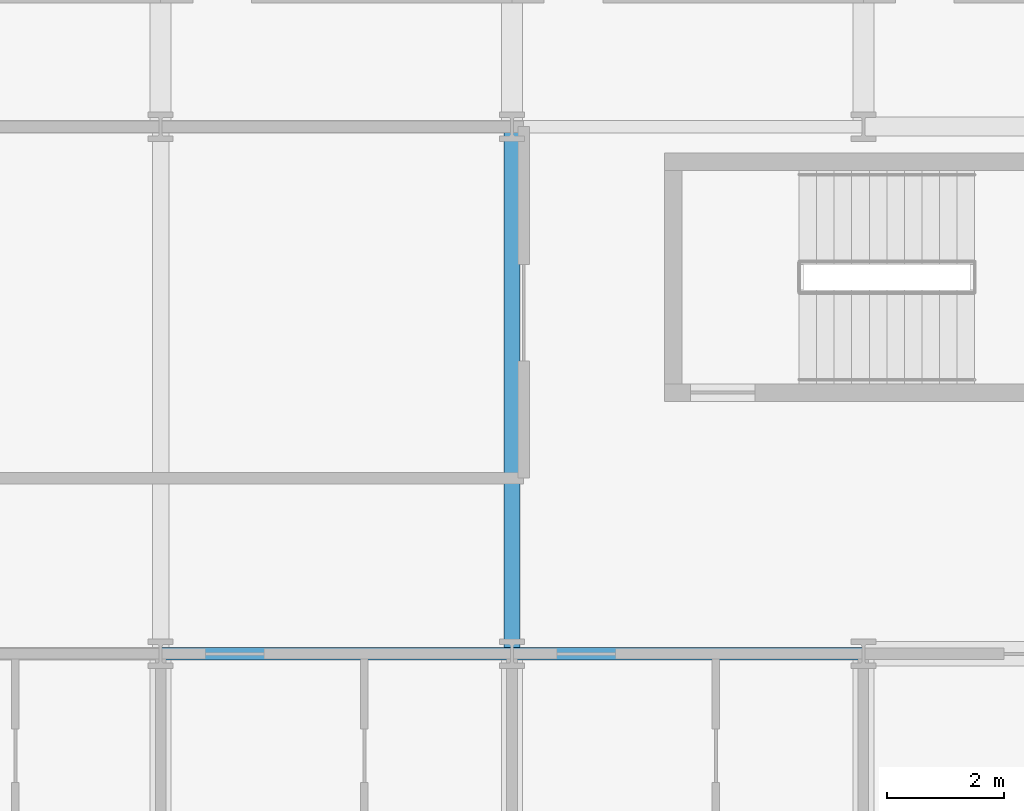
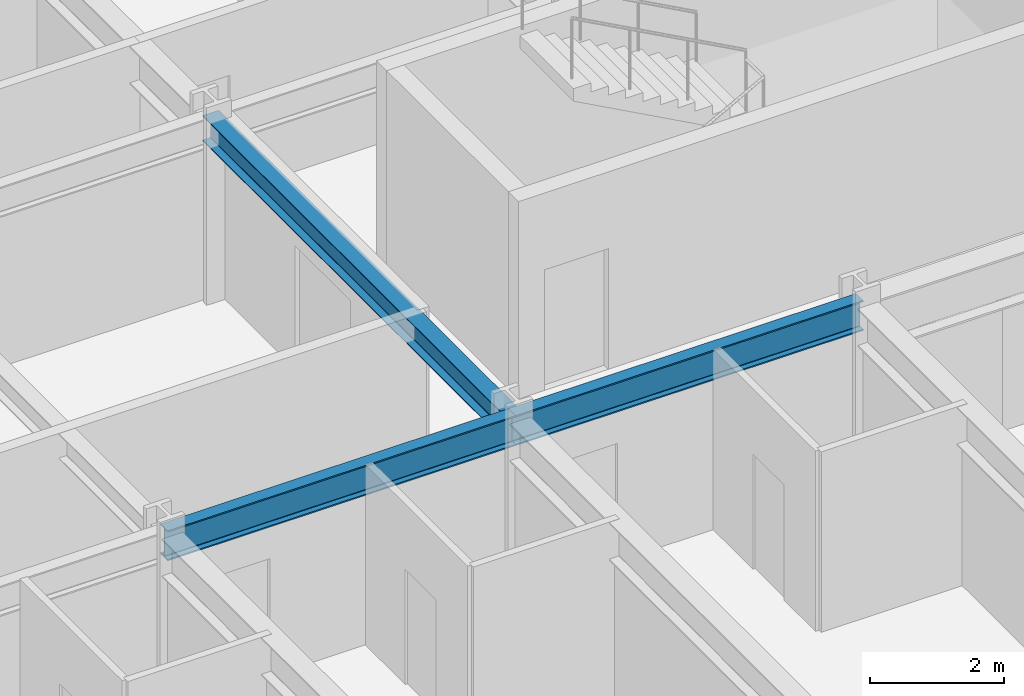
# One storey, part 7 of 24: 3 beams.
"""IFC4 building model written with IfcOpenShell, lengths in metres."""

from ifc_helpers import new_model, si_unit, direction, frame, origin, origin_2d, place, context, subcontext, project, spatial, i_section, extrude, material, material_profile, profile_set, type_object, element, save


model = new_model("IFC4")

# Units and contexts
model_context = context("Model", 3, precision=1e-05, world=origin(), true_north=direction((0.0, 1.0)))
body_context = subcontext(model_context, "Body", "Model", "MODEL_VIEW")
ifc_project = project(units=[si_unit("LENGTHUNIT", "METRE"), si_unit("AREAUNIT", "SQUARE_METRE"), si_unit("VOLUMEUNIT", "CUBIC_METRE"), si_unit("PLANEANGLEUNIT", "RADIAN"), si_unit("MASSUNIT", "GRAM", prefix="KILO")], contexts=[model_context])

# Site, building, storey
site_placement = place(None, origin())
site = spatial("IfcSite", under=ifc_project, at=site_placement, CompositionType="ELEMENT")
building_placement = place(site_placement, origin())
building = spatial("IfcBuilding", under=site, at=building_placement, Name="Kaldorvane Square Convention Centre", CompositionType="ELEMENT")
storey_placement = place(building_placement, frame((0.0, 0.0, 27.600006103515625)))
storey = spatial("IfcBuildingStorey", under=building, at=storey_placement, Name="L05", CompositionType="ELEMENT", Elevation=27.600006103515625)

# Beams
ifc_material = material(Name="Steel ASTM A992 Gr. 50", Category="steel")
ifc_material_profile_1 = material_profile(ifc_material, i_section(OverallWidth=0.213897705078125, OverallDepth=0.549102783203125, WebThickness=0.0146942138671875, FlangeThickness=0.0236053466796875, FilletRadius=0.0126953125, at=origin_2d()), Name="W21X93")
ifc_profile_set_1 = profile_set([ifc_material_profile_1], Name="Steel ASTM A992 Gr. 50")
beam_type_1 = type_object("IfcBeamType", Name="BM-GR-W21X93", PredefinedType="BEAM", material=ifc_profile_set_1)
for number, where, z_axis, x_axis, name in (
    (1, (30.0, 96.0, 3.0114898681640625), (1.0, 0.0, 0.0), (0.0, 1.0, 0.0), "Primary Girder (L05)"),
    (2, (36.0, 96.0, 3.0114898681640625), (1.0, 0.0, 0.0), (0.0, 1.0, 0.0), "Primary Girder (L05)"),
):
    element("IfcBeam", number, at=place(storey_placement, frame(where, z_axis=z_axis, x_axis=x_axis)), inside=storey, type_object=beam_type_1, Name=name, PredefinedType="BEAM", context=body_context, shape_type="SweptSolid", body=[
        extrude(i_section(OverallWidth=0.213897705078125, OverallDepth=0.549102783203125, WebThickness=0.0146942138671875, FlangeThickness=0.0236053466796875, FilletRadius=0.0126953125, at=origin_2d()), origin(), (0.0, 0.0, 1.0), 6.0),
    ])
ifc_material_profile_2 = material_profile(ifc_material, i_section(OverallWidth=0.2799072265625, OverallDepth=0.462799072265625, WebThickness=0.01080322265625, FlangeThickness=0.017303466796875, FilletRadius=0.01019287109375, at=origin_2d()), Name="W18X76")
ifc_profile_set_2 = profile_set([ifc_material_profile_2], Name="Steel ASTM A992 Gr. 50")
beam_type_2 = type_object("IfcBeamType", Name="BM-JS-W18X76", PredefinedType="JOIST", material=ifc_profile_set_2)
beam_placement = place(storey_placement, frame((36.0, 96.0, 3.054595947265625), z_axis=(0.0, 1.0, 0.0), x_axis=(-1.0, 0.0, 0.0)))
element("IfcBeam", 3, at=beam_placement, inside=storey, type_object=beam_type_2, Name="Transverse Girder (L05)", PredefinedType="JOIST", context=body_context, shape_type="SweptSolid", body=[
    extrude(i_section(OverallWidth=0.2799072265625, OverallDepth=0.462799072265625, WebThickness=0.01080322265625, FlangeThickness=0.017303466796875, FilletRadius=0.01019287109375, at=origin_2d()), origin(), (0.0, 0.0, 1.0), 9.0),
])

save(model, "model.ifc")
